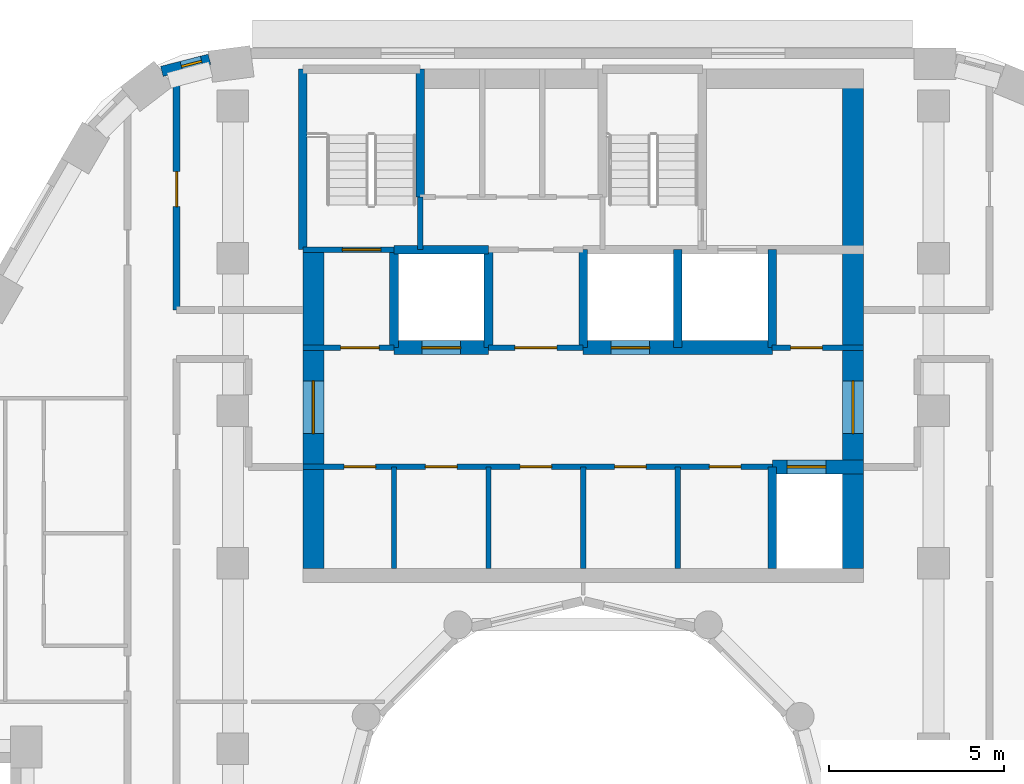
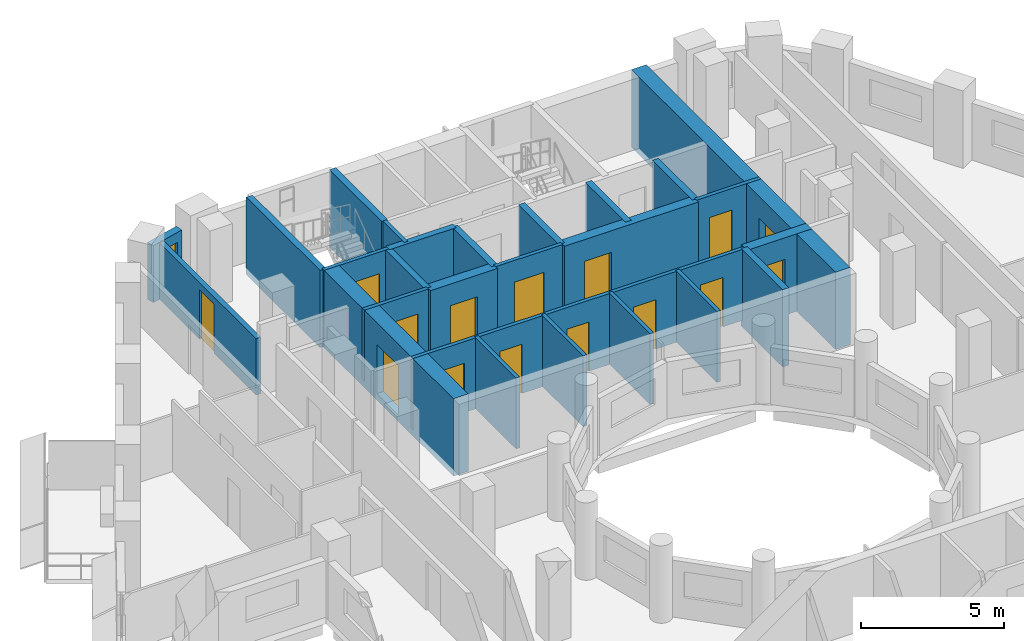
# One storey, part 8 of 17: 26 walls, 15 doors, 1 window, 16 openings.
"""IFC4 building model written with IfcOpenShell, lengths in metres."""

from ifc_helpers import new_model, si_unit, direction, frame, frame_2d, origin, place, context, subcontext, project, spatial, rectangle, extrude, material, layer, layer_set, type_object, element, fill, save


model = new_model("IFC4")

# Units and contexts
model_context = context("Model", 3, precision=1e-05, world=origin(), true_north=direction((0.0, 1.0)))
body_context = subcontext(model_context, "Body", "Model", "MODEL_VIEW")
ifc_project = project(units=[si_unit("LENGTHUNIT", "METRE"), si_unit("AREAUNIT", "SQUARE_METRE"), si_unit("VOLUMEUNIT", "CUBIC_METRE"), si_unit("PLANEANGLEUNIT", "RADIAN"), si_unit("MASSUNIT", "GRAM", prefix="KILO")], contexts=[model_context])

# Site, building, storey
site_placement = place(None, origin())
site = spatial("IfcSite", under=ifc_project, at=site_placement, CompositionType="ELEMENT")
building_placement = place(site_placement, origin())
building = spatial("IfcBuilding", under=site, at=building_placement, Name="Nakaniwa Court", CompositionType="ELEMENT")
storey_placement = place(building_placement, frame((0.0, 0.0, 209.699951171875)))
storey = spatial("IfcBuildingStorey", under=building, at=storey_placement, Name="L55", CompositionType="ELEMENT", Elevation=209.699951171875)

# Wall, opening, door
ifc_material_1 = material(Name="Acoustic double stud partition")
ifc_layer_1 = layer(ifc_material_1, 0.199951171875)
ifc_layer_set_1 = layer_set([ifc_layer_1], Name="Acoustic double stud partition")
wall_type_1 = type_object("IfcWallType", Name="Acoustic double stud partition 200", PredefinedType="PARTITIONING", material=ifc_layer_set_1)
wall_1_placement = place(storey_placement, frame((68.39990234375, 102.07373046875, 0.0), z_axis=(0.0, 0.0, 1.0), x_axis=(0.0, -1.0, 0.0)))
wall_1 = element("IfcWall", 1, at=wall_1_placement, inside=storey, type_object=wall_type_1, Name="Partition PW-106", PredefinedType="PARTITIONING", context=body_context, shape_type="SweptSolid", body=[
    extrude(rectangle(XDim=6.898681640625, YDim=0.199951171875, at=frame_2d((3.44921875, 0.0))), origin(), (0.0, 0.0, 1.0), 2.405029296875),
])
opening_1_placement = place(wall_1_placement, frame((2.948974609375, 0.0, 0.0)))
opening_1 = element("IfcOpeningElement", 2, at=opening_1_placement, cuts=wall_1, Name="Opening D-02-07", PredefinedType="OPENING", context=body_context, shape_type="SweptSolid", body=[
    extrude(rectangle(XDim=1.0, YDim=2.10009765625, at=frame_2d((0.5, 1.050048828125))), frame((0.0, 0.10986328125, 0.0), z_axis=(0.0, -1.0, 0.0), x_axis=(1.0, 0.0, 0.0)), (0.0, 0.0, 1.0), 0.219970703125),
])
ifc_material_2 = material(Name="Solid core timber door set, black veneer", Category="wood")
door_type_1 = type_object("IfcDoorType", Name="Internal door 1000", OperationType="NOTDEFINED", PredefinedType="DOOR", material=ifc_material_2)
door_1_placement = place(opening_1_placement, origin())
door_1 = element("IfcDoor", 3, at=door_1_placement, inside=storey, type_object=door_type_1, Name="Door D-02-07 L55-056", OperationType="SINGLE_SWING_LEFT", OverallHeight=2.10009765625, OverallWidth=1.0, PredefinedType="DOOR", context=body_context, shape_type="SweptSolid", body=[
    extrude(rectangle(XDim=1.0, YDim=2.10009765625, at=frame_2d((0.5, 1.050048828125))), frame((0.0, 0.02490234375, 0.0), z_axis=(0.0, -1.0, 0.0), x_axis=(1.0, 0.0, 0.0)), (0.0, 0.0, 1.0), 0.050048828125),
])
fill(opening_1, door_1)

# Wall, opening, window
ifc_material_3 = material(Name="Charcoal ceramic cladding")
ifc_layer_2 = layer(ifc_material_3, 0.02, Name="Ceramic cladding")
ifc_material_4 = material(Name="Ventilated air cavity")
ifc_layer_3 = layer(ifc_material_4, 0.04, ventilated=True, Name="Ventilated cavity")
ifc_material_5 = material(Name="Mineral wool insulation")
ifc_layer_4 = layer(ifc_material_5, 0.1, Name="Insulation")
ifc_material_6 = material(Name="Cement bonded sheathing board")
ifc_layer_5 = layer(ifc_material_6, 0.012, Name="Sheathing")
ifc_material_7 = material(Name="Cold-formed galvanised stud frame with mineral wool infill")
ifc_layer_6 = layer(ifc_material_7, 0.1, Name="Stud frame")
ifc_material_8 = material(Name="Fire-rated gypsum plasterboard lining")
ifc_layer_7 = layer(ifc_material_8, 0.028, Name="Lining")
ifc_layer_set_2 = layer_set([ifc_layer_2, ifc_layer_3, ifc_layer_4, ifc_layer_5, ifc_layer_6, ifc_layer_7], Name="Charcoal ceramic faced external wall system")
wall_type_2 = type_object("IfcWallType", Name="Black ceramic faced external wall 300", PredefinedType="SOLIDWALL", material=ifc_layer_set_2)
wall_2_placement = place(storey_placement, frame((69.3359375, 102.333251953125, 0.0), z_axis=(0.0, 0.0, 1.0), x_axis=(-0.969037396898, -0.246914000036, 0.0)))
wall_2 = element("IfcWall", 4, at=wall_2_placement, inside=storey, type_object=wall_type_2, Name="L55 external wall 09", PredefinedType="SOLIDWALL", context=body_context, shape_type="SweptSolid", body=[
    extrude(rectangle(XDim=1.403076171875, YDim=0.300048828125, at=frame_2d((0.70166015625, 0.0))), origin(), (0.0, 0.0, 1.0), 2.425048828125),
])
opening_2_placement = place(wall_2_placement, frame((0.22900390625, 0.0, 0.89990234375)))
opening_2 = element("IfcOpeningElement", 5, at=opening_2_placement, cuts=wall_2, Name="Opening W8.11", PredefinedType="OPENING", context=body_context, shape_type="SweptSolid", body=[
    extrude(rectangle(XDim=0.60009765625, YDim=1.10009765625, at=frame_2d((0.300048828125, 0.550048828125))), frame((0.0, 0.159912109375, 0.0), z_axis=(0.0, -1.0, 0.0), x_axis=(1.0, 0.0, 0.0)), (0.0, 0.0, 1.0), 0.320068359375),
])
ifc_material_9 = material(Name="Black anodised aluminium frame with dark low-E laminated double glazing", Category="aluminium")
window_type = type_object("IfcWindowType", Name="Dark glass window 600x1100 sill 900", PartitioningType="SINGLE_PANEL", PredefinedType="WINDOW", material=ifc_material_9)
window_placement = place(opening_2_placement, origin())
window = element("IfcWindow", 6, at=window_placement, inside=storey, type_object=window_type, Name="L55 habitable room window 09-0", OverallHeight=1.10009765625, OverallWidth=0.60009765625, PartitioningType="SINGLE_PANEL", PredefinedType="WINDOW", context=body_context, shape_type="SweptSolid", body=[
    extrude(rectangle(XDim=0.60009765625, YDim=1.10009765625, at=frame_2d((0.300048828125, 0.550048828125))), frame((0.0, 0.030029296875, 0.0), z_axis=(0.0, -1.0, 0.0), x_axis=(1.0, 0.0, 0.0)), (0.0, 0.0, 1.0), 0.06005859375),
])
fill(opening_2, window)

# Wall
ifc_material_10 = material(Name="Blockwork partition", Category="masonry")
ifc_layer_8 = layer(ifc_material_10, 0.14990234375)
ifc_layer_set_3 = layer_set([ifc_layer_8], Name="Blockwork partition")
wall_type_3 = type_object("IfcWallType", Name="Blockwork partition 150", PredefinedType="PARTITIONING", material=ifc_layer_set_3)
wall_3_placement = place(storey_placement, frame((74.60009765625, 87.800048828125, 0.0), z_axis=(0.0, 0.0, 1.0), x_axis=(0.0, 1.0, 0.0)))
element("IfcWall", 7, at=wall_3_placement, inside=storey, type_object=wall_type_3, Name="Partition PW-001", PredefinedType="PARTITIONING", context=body_context, shape_type="SweptSolid", body=[
    extrude(rectangle(XDim=2.89990234375, YDim=0.14990234375, at=frame_2d((1.449951171875, 0.0))), origin(), (0.0, 0.0, 1.0), 3.025146484375),
])

# Wall, openings, doors
wall_4_placement = place(storey_placement, frame((85.39990234375, 90.699951171875, 0.0), z_axis=(0.0, 0.0, 1.0), x_axis=(-1.0, 0.0, 0.0)))
wall_4 = element("IfcWall", 8, at=wall_4_placement, inside=storey, type_object=wall_type_3, Name="Partition PW-002", PredefinedType="PARTITIONING", context=body_context, shape_type="SweptSolid", body=[
    extrude(rectangle(XDim=13.39990234375, YDim=0.14990234375, at=frame_2d((6.699951171875, 0.0))), origin(), (0.0, 0.0, 1.0), 3.025146484375),
])
opening_3_placement = place(wall_4_placement, frame((11.324951171875, 0.0, 0.0)))
opening_3 = element("IfcOpeningElement", 9, at=opening_3_placement, cuts=wall_4, Name="Opening D-05-01", PredefinedType="OPENING", context=body_context, shape_type="SweptSolid", body=[
    extrude(rectangle(XDim=0.89990234375, YDim=2.10009765625, at=frame_2d((0.449951171875, 1.050048828125))), frame((0.0, 0.0849609375, 0.0), z_axis=(0.0, -1.0, 0.0), x_axis=(1.0, 0.0, 0.0)), (0.0, 0.0, 1.0), 0.169921875),
])
opening_4_placement = place(wall_4_placement, frame((9.0, 0.0, 0.0)))
opening_4 = element("IfcOpeningElement", 10, at=opening_4_placement, cuts=wall_4, Name="Opening D-05-02", PredefinedType="OPENING", context=body_context, shape_type="SweptSolid", body=[
    extrude(rectangle(XDim=0.89990234375, YDim=2.10009765625, at=frame_2d((0.449951171875, 1.050048828125))), frame((0.0, 0.0849609375, 0.0), z_axis=(0.0, -1.0, 0.0), x_axis=(1.0, 0.0, 0.0)), (0.0, 0.0, 1.0), 0.169921875),
])
opening_5_placement = place(wall_4_placement, frame((6.300048828125, 0.0, 0.0)))
opening_5 = element("IfcOpeningElement", 11, at=opening_5_placement, cuts=wall_4, Name="Opening D-05-03", PredefinedType="OPENING", context=body_context, shape_type="SweptSolid", body=[
    extrude(rectangle(XDim=0.89990234375, YDim=2.10009765625, at=frame_2d((0.449951171875, 1.050048828125))), frame((0.0, 0.0849609375, 0.0), z_axis=(0.0, -1.0, 0.0), x_axis=(1.0, 0.0, 0.0)), (0.0, 0.0, 1.0), 0.169921875),
])
opening_6_placement = place(wall_4_placement, frame((3.60009765625, 0.0, 0.0)))
opening_6 = element("IfcOpeningElement", 12, at=opening_6_placement, cuts=wall_4, Name="Opening D-05-04", PredefinedType="OPENING", context=body_context, shape_type="SweptSolid", body=[
    extrude(rectangle(XDim=0.89990234375, YDim=2.10009765625, at=frame_2d((0.449951171875, 1.050048828125))), frame((0.0, 0.0849609375, 0.0), z_axis=(0.0, -1.0, 0.0), x_axis=(1.0, 0.0, 0.0)), (0.0, 0.0, 1.0), 0.169921875),
])
opening_7_placement = place(wall_4_placement, frame((0.89990234375, 0.0, 0.0)))
opening_7 = element("IfcOpeningElement", 13, at=opening_7_placement, cuts=wall_4, Name="Opening D-05-05", PredefinedType="OPENING", context=body_context, shape_type="SweptSolid", body=[
    extrude(rectangle(XDim=0.89990234375, YDim=2.10009765625, at=frame_2d((0.449951171875, 1.050048828125))), frame((0.0, 0.0849609375, 0.0), z_axis=(0.0, -1.0, 0.0), x_axis=(1.0, 0.0, 0.0)), (0.0, 0.0, 1.0), 0.169921875),
])
ifc_material_11 = material(Name="Fire rated steel door set", Category="steel")
door_type_2 = type_object("IfcDoorType", Name="Service room door 900", OperationType="NOTDEFINED", PredefinedType="DOOR", material=ifc_material_11)
door_2_placement = place(opening_3_placement, origin())
door_2 = element("IfcDoor", 14, at=door_2_placement, inside=storey, type_object=door_type_2, Name="Door D-05-01 L55-001", OperationType="SINGLE_SWING_RIGHT", OverallHeight=2.10009765625, OverallWidth=0.89990234375, PredefinedType="DOOR", context=body_context, shape_type="SweptSolid", body=[
    extrude(rectangle(XDim=0.89990234375, YDim=2.10009765625, at=frame_2d((0.449951171875, 1.050048828125))), frame((0.0, 0.02490234375, 0.0), z_axis=(0.0, -1.0, 0.0), x_axis=(1.0, 0.0, 0.0)), (0.0, 0.0, 1.0), 0.050048828125),
])
fill(opening_3, door_2)
door_3_placement = place(opening_4_placement, origin())
door_3 = element("IfcDoor", 15, at=door_3_placement, inside=storey, type_object=door_type_2, Name="Door D-05-02 L55-002", OperationType="SINGLE_SWING_LEFT", OverallHeight=2.10009765625, OverallWidth=0.89990234375, PredefinedType="DOOR", context=body_context, shape_type="SweptSolid", body=[
    extrude(rectangle(XDim=0.89990234375, YDim=2.10009765625, at=frame_2d((0.449951171875, 1.050048828125))), frame((0.0, 0.02490234375, 0.0), z_axis=(0.0, -1.0, 0.0), x_axis=(1.0, 0.0, 0.0)), (0.0, 0.0, 1.0), 0.050048828125),
])
fill(opening_4, door_3)
door_4_placement = place(opening_5_placement, origin())
door_4 = element("IfcDoor", 16, at=door_4_placement, inside=storey, type_object=door_type_2, Name="Door D-05-03 L55-003", OperationType="SINGLE_SWING_RIGHT", OverallHeight=2.10009765625, OverallWidth=0.89990234375, PredefinedType="DOOR", context=body_context, shape_type="SweptSolid", body=[
    extrude(rectangle(XDim=0.89990234375, YDim=2.10009765625, at=frame_2d((0.449951171875, 1.050048828125))), frame((0.0, 0.02490234375, 0.0), z_axis=(0.0, -1.0, 0.0), x_axis=(1.0, 0.0, 0.0)), (0.0, 0.0, 1.0), 0.050048828125),
])
fill(opening_5, door_4)
door_5_placement = place(opening_6_placement, origin())
door_5 = element("IfcDoor", 17, at=door_5_placement, inside=storey, type_object=door_type_2, Name="Door D-05-04 L55-004", OperationType="SINGLE_SWING_LEFT", OverallHeight=2.10009765625, OverallWidth=0.89990234375, PredefinedType="DOOR", context=body_context, shape_type="SweptSolid", body=[
    extrude(rectangle(XDim=0.89990234375, YDim=2.10009765625, at=frame_2d((0.449951171875, 1.050048828125))), frame((0.0, 0.02490234375, 0.0), z_axis=(0.0, -1.0, 0.0), x_axis=(1.0, 0.0, 0.0)), (0.0, 0.0, 1.0), 0.050048828125),
])
fill(opening_6, door_5)
door_6_placement = place(opening_7_placement, origin())
door_6 = element("IfcDoor", 18, at=door_6_placement, inside=storey, type_object=door_type_2, Name="Door D-05-05 L55-005", OperationType="SINGLE_SWING_RIGHT", OverallHeight=2.10009765625, OverallWidth=0.89990234375, PredefinedType="DOOR", context=body_context, shape_type="SweptSolid", body=[
    extrude(rectangle(XDim=0.89990234375, YDim=2.10009765625, at=frame_2d((0.449951171875, 1.050048828125))), frame((0.0, 0.02490234375, 0.0), z_axis=(0.0, -1.0, 0.0), x_axis=(1.0, 0.0, 0.0)), (0.0, 0.0, 1.0), 0.050048828125),
])
fill(opening_7, door_6)

# Walls
for number, where, z_axis, x_axis, name in (
    (19, (77.300048828125, 87.800048828125, 0.0), (0.0, 0.0, 1.0), (0.0, 1.0, 0.0), "Partition PW-008"),
    (20, (80.0, 87.800048828125, 0.0), (0.0, 0.0, 1.0), (0.0, 1.0, 0.0), "Partition PW-009"),
    (21, (82.699951171875, 87.800048828125, 0.0), (0.0, 0.0, 1.0), (0.0, 1.0, 0.0), "Partition PW-010"),
):
    element("IfcWall", number, at=place(storey_placement, frame(where, z_axis=z_axis, x_axis=x_axis)), inside=storey, type_object=wall_type_3, Name=name, PredefinedType="PARTITIONING", context=body_context, shape_type="SweptSolid", body=[
        extrude(rectangle(XDim=2.89990234375, YDim=0.14990234375, at=frame_2d((1.449951171875, 0.0))), origin(), (0.0, 0.0, 1.0), 3.025146484375),
    ])

# Wall, opening, door
wall_5_placement = place(storey_placement, frame((72.0, 94.10009765625, 0.0), z_axis=(0.0, 0.0, 1.0), x_axis=(1.0, 0.0, 0.0)))
wall_5 = element("IfcWall", 22, at=wall_5_placement, inside=storey, type_object=wall_type_3, Name="Partition PW-011", PredefinedType="PARTITIONING", context=body_context, shape_type="SweptSolid", body=[
    extrude(rectangle(XDim=2.60302734375, YDim=0.14990234375, at=frame_2d((1.301513671875, 0.0))), origin(), (0.0, 0.0, 1.0), 3.025146484375),
])
opening_8_placement = place(wall_5_placement, frame((1.074951171875, 0.0, 0.0)))
opening_8 = element("IfcOpeningElement", 23, at=opening_8_placement, cuts=wall_5, Name="Opening D-08-01", PredefinedType="OPENING", context=body_context, shape_type="SweptSolid", body=[
    extrude(rectangle(XDim=1.10009765625, YDim=2.10009765625, at=frame_2d((0.550048828125, 1.050048828125))), frame((0.0, 0.0849609375, 0.0), z_axis=(0.0, -1.0, 0.0), x_axis=(1.0, 0.0, 0.0)), (0.0, 0.0, 1.0), 0.169921875),
])
door_type_3 = type_object("IfcDoorType", Name="Stair lobby door 1100", OperationType="NOTDEFINED", PredefinedType="DOOR", material=ifc_material_11)
door_7_placement = place(opening_8_placement, origin())
door_7 = element("IfcDoor", 24, at=door_7_placement, inside=storey, type_object=door_type_3, Name="Door D-08-01 L55-006", OperationType="SINGLE_SWING_LEFT", OverallHeight=2.10009765625, OverallWidth=1.10009765625, PredefinedType="DOOR", context=body_context, shape_type="SweptSolid", body=[
    extrude(rectangle(XDim=1.10009765625, YDim=2.10009765625, at=frame_2d((0.550048828125, 1.050048828125))), frame((0.0, 0.02490234375, 0.0), z_axis=(0.0, -1.0, 0.0), x_axis=(1.0, 0.0, 0.0)), (0.0, 0.0, 1.0), 0.050048828125),
])
fill(opening_8, door_7)

wall_6_placement = place(storey_placement, frame((77.297119140625, 94.10009765625, 0.0), z_axis=(0.0, 0.0, 1.0), x_axis=(1.0, 0.0, 0.0)))
wall_6 = element("IfcWall", 25, at=wall_6_placement, inside=storey, type_object=wall_type_3, Name="Partition PW-012", PredefinedType="PARTITIONING", context=body_context, shape_type="SweptSolid", body=[
    extrude(rectangle(XDim=2.705810546875, YDim=0.14990234375, at=frame_2d((1.35302734375, 0.0))), origin(), (0.0, 0.0, 1.0), 3.025146484375),
])
opening_9_placement = place(wall_6_placement, frame((0.7529296875, 0.0, 0.0)))
opening_9 = element("IfcOpeningElement", 26, at=opening_9_placement, cuts=wall_6, Name="Opening D-06-01", PredefinedType="OPENING", context=body_context, shape_type="SweptSolid", body=[
    extrude(rectangle(XDim=1.199951171875, YDim=2.10009765625, at=frame_2d((0.60009765625, 1.050048828125))), frame((0.0, 0.0849609375, 0.0), z_axis=(0.0, -1.0, 0.0), x_axis=(1.0, 0.0, 0.0)), (0.0, 0.0, 1.0), 0.169921875),
])
ifc_material_12 = material(Name="Fire rated steel double door set", Category="steel")
door_type_4 = type_object("IfcDoorType", Name="Service passage double door 1200", OperationType="NOTDEFINED", PredefinedType="DOOR", material=ifc_material_12)
door_8_placement = place(opening_9_placement, origin())
door_8 = element("IfcDoor", 27, at=door_8_placement, inside=storey, type_object=door_type_4, Name="Door D-06-01 L55-007", OperationType="DOUBLE_DOOR_SINGLE_SWING", OverallHeight=2.10009765625, OverallWidth=1.199951171875, PredefinedType="DOOR", context=body_context, shape_type="SweptSolid", body=[
    extrude(rectangle(XDim=1.199951171875, YDim=2.10009765625, at=frame_2d((0.60009765625, 1.050048828125))), frame((0.0, 0.02490234375, 0.0), z_axis=(0.0, -1.0, 0.0), x_axis=(1.0, 0.0, 0.0)), (0.0, 0.0, 1.0), 0.050048828125),
])
fill(opening_9, door_8)

wall_7_placement = place(storey_placement, frame((85.39697265625, 94.10009765625, 0.0), z_axis=(0.0, 0.0, 1.0), x_axis=(1.0, 0.0, 0.0)))
wall_7 = element("IfcWall", 28, at=wall_7_placement, inside=storey, type_object=wall_type_3, Name="Partition PW-013", PredefinedType="PARTITIONING", context=body_context, shape_type="SweptSolid", body=[
    extrude(rectangle(XDim=2.60302734375, YDim=0.14990234375, at=frame_2d((1.301513671875, 0.0))), origin(), (0.0, 0.0, 1.0), 3.025146484375),
])
opening_10_placement = place(wall_7_placement, frame((0.528076171875, 0.0, 0.0)))
opening_10 = element("IfcOpeningElement", 29, at=opening_10_placement, cuts=wall_7, Name="Opening D-05-06", PredefinedType="OPENING", context=body_context, shape_type="SweptSolid", body=[
    extrude(rectangle(XDim=0.89990234375, YDim=2.10009765625, at=frame_2d((0.449951171875, 1.050048828125))), frame((0.0, 0.0849609375, 0.0), z_axis=(0.0, -1.0, 0.0), x_axis=(1.0, 0.0, 0.0)), (0.0, 0.0, 1.0), 0.169921875),
])
door_9_placement = place(opening_10_placement, origin())
door_9 = element("IfcDoor", 30, at=door_9_placement, inside=storey, type_object=door_type_2, Name="Door D-05-06 L55-008", OperationType="SINGLE_SWING_LEFT", OverallHeight=2.10009765625, OverallWidth=0.89990234375, PredefinedType="DOOR", context=body_context, shape_type="SweptSolid", body=[
    extrude(rectangle(XDim=0.89990234375, YDim=2.10009765625, at=frame_2d((0.449951171875, 1.050048828125))), frame((0.0, 0.02490234375, 0.0), z_axis=(0.0, -1.0, 0.0), x_axis=(1.0, 0.0, 0.0)), (0.0, 0.0, 1.0), 0.050048828125),
])
fill(opening_10, door_9)

ifc_material_13 = material(Name="Concrete C80/100", Category="concrete")
ifc_layer_9 = layer(ifc_material_13, 0.60009765625)
ifc_layer_set_4 = layer_set([ifc_layer_9], Name="Concrete C80/100")
wall_type_4 = type_object("IfcWallType", Name="Concrete core side wall 600 C80", PredefinedType="SHEAR", material=ifc_layer_set_4)
wall_8_placement = place(storey_placement, frame((72.300048828125, 87.800048828125, -0.27490234375), z_axis=(0.0, 0.0, 1.0), x_axis=(0.0, 1.0, 0.0)))
wall_8 = element("IfcWall", 31, at=wall_8_placement, inside=storey, type_object=wall_type_4, Name="Core wall SW-03", PredefinedType="SHEAR", context=body_context, shape_type="SweptSolid", body=[
    extrude(rectangle(XDim=9.099853515625, YDim=0.60009765625, at=frame_2d((4.5498046875, 0.0))), origin(), (0.0, 0.0, 1.0), 3.300048828125),
])
opening_11_placement = place(wall_8_placement, frame((3.85205078125, 0.0, 0.27490234375)))
opening_11 = element("IfcOpeningElement", 32, at=opening_11_placement, cuts=wall_8, Name="Opening D-07-02", PredefinedType="OPENING", context=body_context, shape_type="SweptSolid", body=[
    extrude(rectangle(XDim=1.5, YDim=2.10009765625, at=frame_2d((0.75, 1.050048828125))), frame((0.0, 0.31005859375, 0.0), z_axis=(0.0, -1.0, 0.0), x_axis=(1.0, 0.0, 0.0)), (0.0, 0.0, 1.0), 0.6201171875),
])
ifc_material_14 = material(Name="Glazed fire rated steel double door set", Category="steel")
door_type_5 = type_object("IfcDoorType", Name="Lobby double door 1500", OperationType="NOTDEFINED", PredefinedType="DOOR", material=ifc_material_14)
door_10_placement = place(opening_11_placement, origin())
door_10 = element("IfcDoor", 33, at=door_10_placement, inside=storey, type_object=door_type_5, Name="Door D-07-02 L55-062", OperationType="DOUBLE_DOOR_SINGLE_SWING", OverallHeight=2.10009765625, OverallWidth=1.5, PredefinedType="DOOR", context=body_context, shape_type="SweptSolid", body=[
    extrude(rectangle(XDim=1.5, YDim=2.10009765625, at=frame_2d((0.75, 1.050048828125))), frame((0.0, 0.02490234375, 0.0), z_axis=(0.0, -1.0, 0.0), x_axis=(1.0, 0.0, 0.0)), (0.0, 0.0, 1.0), 0.050048828125),
])
fill(opening_11, door_10)

wall_9_placement = place(storey_placement, frame((87.699951171875, 102.050048828125, -0.27490234375), z_axis=(0.0, 0.0, 1.0), x_axis=(0.0, -1.0, 0.0)))
wall_9 = element("IfcWall", 34, at=wall_9_placement, inside=storey, type_object=wall_type_4, Name="Core wall SW-07", PredefinedType="SHEAR", context=body_context, shape_type="SweptSolid", body=[
    extrude(rectangle(XDim=14.25, YDim=0.60009765625, at=frame_2d((7.125, 0.0))), origin(), (0.0, 0.0, 1.0), 3.300048828125),
])
opening_12_placement = place(wall_9_placement, frame((8.89794921875, 0.0, 0.27490234375)))
opening_12 = element("IfcOpeningElement", 35, at=opening_12_placement, cuts=wall_9, Name="Opening D-07-01", PredefinedType="OPENING", context=body_context, shape_type="SweptSolid", body=[
    extrude(rectangle(XDim=1.5, YDim=2.10009765625, at=frame_2d((0.75, 1.050048828125))), frame((0.0, 0.31005859375, 0.0), z_axis=(0.0, -1.0, 0.0), x_axis=(1.0, 0.0, 0.0)), (0.0, 0.0, 1.0), 0.6201171875),
])
door_11_placement = place(opening_12_placement, origin())
door_11 = element("IfcDoor", 36, at=door_11_placement, inside=storey, type_object=door_type_5, Name="Door D-07-01 L55-061", OperationType="DOUBLE_DOOR_SINGLE_SWING", OverallHeight=2.10009765625, OverallWidth=1.5, PredefinedType="DOOR", context=body_context, shape_type="SweptSolid", body=[
    extrude(rectangle(XDim=1.5, YDim=2.10009765625, at=frame_2d((0.75, 1.050048828125))), frame((0.0, 0.02490234375, 0.0), z_axis=(0.0, -1.0, 0.0), x_axis=(1.0, 0.0, 0.0)), (0.0, 0.0, 1.0), 0.050048828125),
])
fill(opening_12, door_11)

ifc_layer_10 = layer(ifc_material_13, 0.39990234375)
ifc_layer_set_5 = layer_set([ifc_layer_10], Name="Concrete C80/100")
wall_type_5 = type_object("IfcWallType", Name="Concrete core spine wall 400 C80", PredefinedType="SHEAR", material=ifc_layer_set_5)
wall_10_placement = place(storey_placement, frame((85.39990234375, 90.699951171875, -0.27490234375), z_axis=(0.0, 0.0, 1.0), x_axis=(1.0, 0.0, 0.0)))
wall_10 = element("IfcWall", 37, at=wall_10_placement, inside=storey, type_object=wall_type_5, Name="Core wall SW-06", PredefinedType="SHEAR", context=body_context, shape_type="SweptSolid", body=[
    extrude(rectangle(XDim=2.60009765625, YDim=0.39990234375, at=frame_2d((1.300048828125, 0.0))), origin(), (0.0, 0.0, 1.0), 3.300048828125),
])
opening_13_placement = place(wall_10_placement, frame((0.425048828125, 0.0, 0.27490234375)))
opening_13 = element("IfcOpeningElement", 38, at=opening_13_placement, cuts=wall_10, Name="Opening LD01", PredefinedType="OPENING", context=body_context, shape_type="SweptSolid", body=[
    extrude(rectangle(XDim=1.10009765625, YDim=2.10009765625, at=frame_2d((0.550048828125, 1.050048828125))), frame((0.0, 0.2099609375, 0.0), z_axis=(0.0, -1.0, 0.0), x_axis=(1.0, 0.0, 0.0)), (0.0, 0.0, 1.0), 0.419921875),
])
ifc_material_15 = material(Name="Stainless steel sliding lift landing door", Category="steel")
door_type_6 = type_object("IfcDoorType", Name="Lift landing door 1100", OperationType="NOTDEFINED", PredefinedType="DOOR", material=ifc_material_15)
door_12_placement = place(opening_13_placement, origin())
door_12 = element("IfcDoor", 39, at=door_12_placement, inside=storey, type_object=door_type_6, Name="Lift landing door LD01 L55-001", OperationType="SLIDING_TO_LEFT", OverallHeight=2.10009765625, OverallWidth=1.10009765625, PredefinedType="DOOR", context=body_context, shape_type="SweptSolid", body=[
    extrude(rectangle(XDim=1.10009765625, YDim=2.10009765625, at=frame_2d((0.550048828125, 1.050048828125))), frame((0.0, 0.02490234375, 0.0), z_axis=(0.0, -1.0, 0.0), x_axis=(1.0, 0.0, 0.0)), (0.0, 0.0, 1.0), 0.050048828125),
])
fill(opening_13, door_12)

wall_11_placement = place(storey_placement, frame((74.596923828125, 94.10009765625, -0.27490234375), z_axis=(0.0, 0.0, 1.0), x_axis=(1.0, 0.0, 0.0)))
wall_11 = element("IfcWall", 40, at=wall_11_placement, inside=storey, type_object=wall_type_5, Name="Core wall SW-14", PredefinedType="SHEAR", context=body_context, shape_type="SweptSolid", body=[
    extrude(rectangle(XDim=2.7060546875, YDim=0.39990234375, at=frame_2d((1.35302734375, 0.0))), origin(), (0.0, 0.0, 1.0), 3.300048828125),
])
opening_14_placement = place(wall_11_placement, frame((0.802978515625, 0.0, 0.27490234375)))
opening_14 = element("IfcOpeningElement", 41, at=opening_14_placement, cuts=wall_11, Name="Opening LD02", PredefinedType="OPENING", context=body_context, shape_type="SweptSolid", body=[
    extrude(rectangle(XDim=1.10009765625, YDim=2.10009765625, at=frame_2d((0.550048828125, 1.050048828125))), frame((0.0, 0.2099609375, 0.0), z_axis=(0.0, -1.0, 0.0), x_axis=(1.0, 0.0, 0.0)), (0.0, 0.0, 1.0), 0.419921875),
])
door_13_placement = place(opening_14_placement, origin())
door_13 = element("IfcDoor", 42, at=door_13_placement, inside=storey, type_object=door_type_6, Name="Lift landing door LD02 L55-002", OperationType="SLIDING_TO_LEFT", OverallHeight=2.10009765625, OverallWidth=1.10009765625, PredefinedType="DOOR", context=body_context, shape_type="SweptSolid", body=[
    extrude(rectangle(XDim=1.10009765625, YDim=2.10009765625, at=frame_2d((0.550048828125, 1.050048828125))), frame((0.0, 0.02490234375, 0.0), z_axis=(0.0, -1.0, 0.0), x_axis=(1.0, 0.0, 0.0)), (0.0, 0.0, 1.0), 0.050048828125),
])
fill(opening_14, door_13)

wall_12_placement = place(storey_placement, frame((79.9970703125, 94.10009765625, -0.27490234375), z_axis=(0.0, 0.0, 1.0), x_axis=(1.0, 0.0, 0.0)))
wall_12 = element("IfcWall", 43, at=wall_12_placement, inside=storey, type_object=wall_type_5, Name="Core wall SW-15", PredefinedType="SHEAR", context=body_context, shape_type="SweptSolid", body=[
    extrude(rectangle(XDim=5.406005859375, YDim=0.39990234375, at=frame_2d((2.703125, 0.0))), origin(), (0.0, 0.0, 1.0), 3.300048828125),
])
opening_15_placement = place(wall_12_placement, frame((0.802978515625, 0.0, 0.27490234375)))
opening_15 = element("IfcOpeningElement", 44, at=opening_15_placement, cuts=wall_12, Name="Opening LD03", PredefinedType="OPENING", context=body_context, shape_type="SweptSolid", body=[
    extrude(rectangle(XDim=1.10009765625, YDim=2.10009765625, at=frame_2d((0.550048828125, 1.050048828125))), frame((0.0, 0.2099609375, 0.0), z_axis=(0.0, -1.0, 0.0), x_axis=(1.0, 0.0, 0.0)), (0.0, 0.0, 1.0), 0.419921875),
])
door_14_placement = place(opening_15_placement, origin())
door_14 = element("IfcDoor", 45, at=door_14_placement, inside=storey, type_object=door_type_6, Name="Lift landing door LD03 L55-003", OperationType="SLIDING_TO_LEFT", OverallHeight=2.10009765625, OverallWidth=1.10009765625, PredefinedType="DOOR", context=body_context, shape_type="SweptSolid", body=[
    extrude(rectangle(XDim=1.10009765625, YDim=2.10009765625, at=frame_2d((0.550048828125, 1.050048828125))), frame((0.0, 0.02490234375, 0.0), z_axis=(0.0, -1.0, 0.0), x_axis=(1.0, 0.0, 0.0)), (0.0, 0.0, 1.0), 0.050048828125),
])
fill(opening_15, door_14)

ifc_layer_11 = layer(ifc_material_13, 0.14990234375)
ifc_layer_set_6 = layer_set([ifc_layer_11], Name="Concrete C80/100")
wall_type_6 = type_object("IfcWallType", Name="Concrete core wall 150 C80", PredefinedType="SHEAR", material=ifc_layer_set_6)
wall_13_placement = place(storey_placement, frame((74.60009765625, 96.89990234375, -0.27490234375), z_axis=(0.0, 0.0, 1.0), x_axis=(-1.0, 0.0, 0.0)))
wall_13 = element("IfcWall", 46, at=wall_13_placement, inside=storey, type_object=wall_type_6, Name="Core wall SW-17", PredefinedType="SHEAR", context=body_context, shape_type="SweptSolid", body=[
    extrude(rectangle(XDim=2.60009765625, YDim=0.14990234375, at=frame_2d((1.300048828125, 0.0))), origin(), (0.0, 0.0, 1.0), 3.300048828125),
])
opening_16_placement = place(wall_13_placement, frame((0.3701171875, 0.0, 0.27490234375)))
opening_16 = element("IfcOpeningElement", 47, at=opening_16_placement, cuts=wall_13, Name="Opening D-09-01", PredefinedType="OPENING", context=body_context, shape_type="SweptSolid", body=[
    extrude(rectangle(XDim=1.10009765625, YDim=2.10009765625, at=frame_2d((0.550048828125, 1.050048828125))), frame((0.0, 0.0849609375, 0.0), z_axis=(0.0, -1.0, 0.0), x_axis=(1.0, 0.0, 0.0)), (0.0, 0.0, 1.0), 0.169921875),
])
door_type_7 = type_object("IfcDoorType", Name="Stair door 1100", OperationType="NOTDEFINED", PredefinedType="DOOR", material=ifc_material_11)
door_15_placement = place(opening_16_placement, origin())
door_15 = element("IfcDoor", 48, at=door_15_placement, inside=storey, type_object=door_type_7, Name="Door D-09-01 L55-013", OperationType="SINGLE_SWING_LEFT", OverallHeight=2.10009765625, OverallWidth=1.10009765625, PredefinedType="DOOR", context=body_context, shape_type="SweptSolid", body=[
    extrude(rectangle(XDim=1.10009765625, YDim=2.10009765625, at=frame_2d((0.550048828125, 1.050048828125))), frame((0.0, 0.02490234375, 0.0), z_axis=(0.0, -1.0, 0.0), x_axis=(1.0, 0.0, 0.0)), (0.0, 0.0, 1.0), 0.050048828125),
])
fill(opening_16, door_15)

# Walls
wall_14_placement = place(storey_placement, frame((75.35009765625, 96.89990234375, -0.27490234375), z_axis=(0.0, 0.0, 1.0), x_axis=(0.0, 1.0, 0.0)))
element("IfcWall", 49, at=wall_14_placement, inside=storey, type_object=wall_type_6, Name="Core wall SW-24", PredefinedType="SHEAR", context=body_context, shape_type="SweptSolid", body=[
    extrude(rectangle(XDim=1.503173828125, YDim=0.14990234375, at=frame_2d((0.75146484375, 0.0))), origin(), (0.0, 0.0, 1.0), 3.300048828125),
])
ifc_layer_12 = layer(ifc_material_13, 0.25)
ifc_layer_set_7 = layer_set([ifc_layer_12], Name="Concrete C80/100")
wall_type_7 = type_object("IfcWallType", Name="Concrete core wall 250 C80", PredefinedType="SHEAR", material=ifc_layer_set_7)
wall_15_placement = place(storey_placement, frame((72.0, 96.89990234375, -0.27490234375), z_axis=(0.0, 0.0, 1.0), x_axis=(0.0, 1.0, 0.0)))
element("IfcWall", 50, at=wall_15_placement, inside=storey, type_object=wall_type_7, Name="Core wall SW-28", PredefinedType="SHEAR", context=body_context, shape_type="SweptSolid", body=[
    extrude(rectangle(XDim=5.150146484375, YDim=0.25, at=frame_2d((2.5751953125, 0.0))), origin(), (0.0, 0.0, 1.0), 3.300048828125),
])
ifc_layer_13 = layer(ifc_material_13, 0.25)
ifc_layer_set_8 = layer_set([ifc_layer_13], Name="Concrete C80/100")
wall_type_8 = type_object("IfcWallType", Name="Concrete shaft wall 250 C80", PredefinedType="SHEAR", material=ifc_layer_set_8)
wall_16_placement = place(storey_placement, frame((85.39990234375, 87.800048828125, -0.27490234375), z_axis=(0.0, 0.0, 1.0), x_axis=(0.0, 1.0, 0.0)))
element("IfcWall", 51, at=wall_16_placement, inside=storey, type_object=wall_type_8, Name="Core wall SW-04", PredefinedType="SHEAR", context=body_context, shape_type="SweptSolid", body=[
    extrude(rectangle(XDim=2.89990234375, YDim=0.25, at=frame_2d((1.449951171875, 0.0))), origin(), (0.0, 0.0, 1.0), 3.300048828125),
])
for number, where, z_axis, x_axis, name in (
    (52, (85.39990234375, 94.10009765625, -0.27490234375), (0.0, 0.0, 1.0), (0.0, 1.0, 0.0), "Core wall SW-05"),
    (53, (74.60009765625, 94.10009765625, -0.27490234375), (0.0, 0.0, 1.0), (0.0, 1.0, 0.0), "Core wall SW-16"),
    (54, (77.300048828125, 94.10009765625, -0.27490234375), (0.0, 0.0, 1.0), (0.0, 1.0, 0.0), "Core wall SW-18"),
):
    element("IfcWall", number, at=place(storey_placement, frame(where, z_axis=z_axis, x_axis=x_axis)), inside=storey, type_object=wall_type_8, Name=name, PredefinedType="SHEAR", context=body_context, shape_type="SweptSolid", body=[
        extrude(rectangle(XDim=2.7998046875, YDim=0.25, at=frame_2d((1.39990234375, 0.0))), origin(), (0.0, 0.0, 1.0), 3.300048828125),
    ])
wall_17_placement = place(storey_placement, frame((74.60009765625, 96.89990234375, -0.27490234375), z_axis=(0.0, 0.0, 1.0), x_axis=(1.0, 0.0, 0.0)))
element("IfcWall", 55, at=wall_17_placement, inside=storey, type_object=wall_type_8, Name="Core wall SW-19", PredefinedType="SHEAR", context=body_context, shape_type="SweptSolid", body=[
    extrude(rectangle(XDim=2.699951171875, YDim=0.25, at=frame_2d((1.35009765625, 0.0))), origin(), (0.0, 0.0, 1.0), 3.300048828125),
])
for number, where, z_axis, x_axis, name in (
    (56, (80.0, 94.10009765625, -0.27490234375), (0.0, 0.0, 1.0), (0.0, 1.0, 0.0), "Core wall SW-21"),
    (57, (82.699951171875, 94.10009765625, -0.27490234375), (0.0, 0.0, 1.0), (0.0, 1.0, 0.0), "Core wall SW-23"),
):
    element("IfcWall", number, at=place(storey_placement, frame(where, z_axis=z_axis, x_axis=x_axis)), inside=storey, type_object=wall_type_8, Name=name, PredefinedType="SHEAR", context=body_context, shape_type="SweptSolid", body=[
        extrude(rectangle(XDim=2.7998046875, YDim=0.25, at=frame_2d((1.39990234375, 0.0))), origin(), (0.0, 0.0, 1.0), 3.300048828125),
    ])
wall_18_placement = place(storey_placement, frame((75.35009765625, 98.39697265625, -0.27490234375), z_axis=(0.0, 0.0, 1.0), x_axis=(0.0, 1.0, 0.0)))
element("IfcWall", 58, at=wall_18_placement, inside=storey, type_object=wall_type_8, Name="Core wall SW-25", PredefinedType="SHEAR", context=body_context, shape_type="SweptSolid", body=[
    extrude(rectangle(XDim=3.653076171875, YDim=0.25, at=frame_2d((1.82666015625, 0.0))), origin(), (0.0, 0.0, 1.0), 3.300048828125),
])

save(model, "model.ifc")
